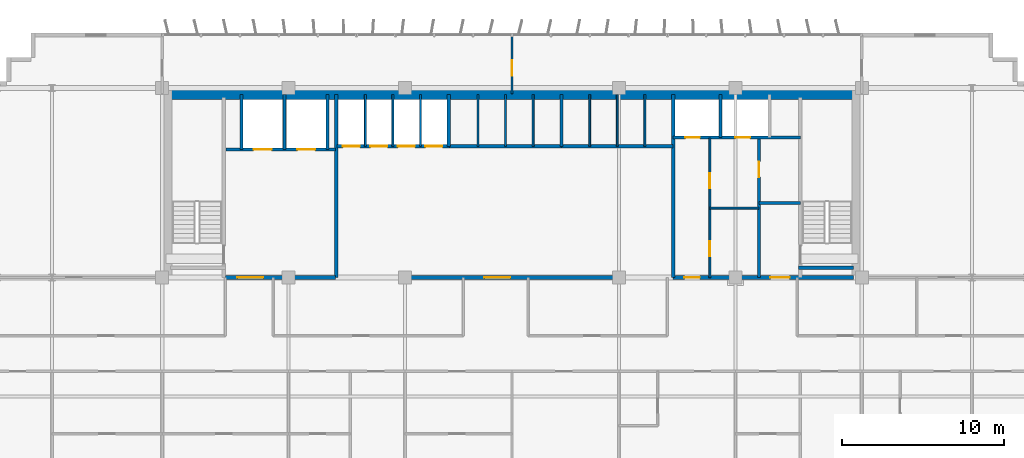
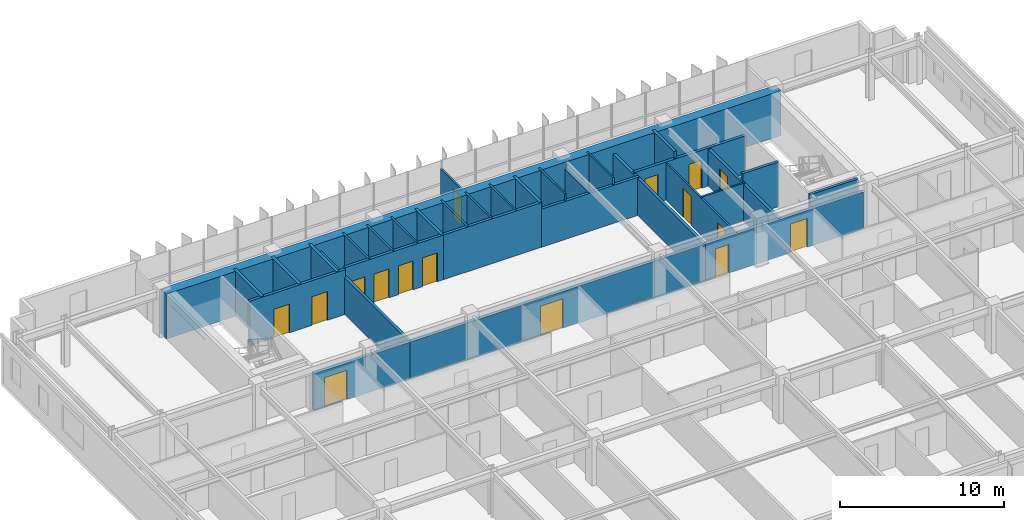
# One storey, part 17 of 21: 32 walls, 16 doors, 16 openings.
"""IFC4 building model written with IfcOpenShell, lengths in metres."""

from ifc_helpers import new_model, si_unit, direction, frame, frame_2d, origin, place, context, subcontext, project, spatial, rectangle, extrude, source, transform, mapped, material, layer, layer_set, type_object, element, fill, save


model = new_model("IFC4")

# Units and contexts
model_context = context("Model", 3, precision=1e-05, world=origin(), true_north=direction((0.0, 1.0)))
body_context = subcontext(model_context, "Body", "Model", "MODEL_VIEW")
ifc_project = project(units=[si_unit("LENGTHUNIT", "METRE"), si_unit("AREAUNIT", "SQUARE_METRE"), si_unit("VOLUMEUNIT", "CUBIC_METRE"), si_unit("PLANEANGLEUNIT", "RADIAN"), si_unit("MASSUNIT", "GRAM", prefix="KILO")], contexts=[model_context])

# Site, building, storey
site_placement = place(None, origin())
site = spatial("IfcSite", under=ifc_project, at=site_placement, CompositionType="ELEMENT")
building_placement = place(site_placement, origin())
building = spatial("IfcBuilding", under=site, at=building_placement, Name="Trelvane Seafront Commons", CompositionType="ELEMENT")
storey_placement = place(building_placement, frame((0.0, 0.0, 103.300048828125)))
storey = spatial("IfcBuildingStorey", under=building, at=storey_placement, Name="L26", CompositionType="ELEMENT", Elevation=103.300048828125)

# Wall, opening, door
ifc_material_1 = material(Name="Concrete C40/50", Category="concrete")
ifc_layer_1 = layer(ifc_material_1, 0.199951171875, Name="ARCH-WALL-FIRE200")
ifc_layer_set_1 = layer_set([ifc_layer_1], Name="Concrete C40/50")
wall_type_1 = type_object("IfcWallType", Name="ARCH-WALL-FIRE200", PredefinedType="PARTITIONING", material=ifc_layer_set_1)
wall_1_placement = place(storey_placement, frame((52.449951171875, 33.39990234375, 0.0), z_axis=(0.0, 0.0, 1.0), x_axis=(0.0, 1.0, 0.0)))
wall_1 = element("IfcWall", 1, at=wall_1_placement, inside=storey, type_object=wall_type_1, Name="W-L26-ST2V-W-033", PredefinedType="PARTITIONING", context=body_context, shape_type="SweptSolid", body=[
    extrude(rectangle(XDim=8.650146484375, YDim=0.199951171875, at=frame_2d((4.3251953125, 0.0))), origin(), (0.0, 0.0, 1.0), 2.751953125),
])
opening_1_placement = place(wall_1_placement, frame((6.199951171875, 0.0, 0.0)))
opening_1 = element("IfcOpeningElement", 2, at=opening_1_placement, cuts=wall_1, Name="Opening FD-L26-13", PredefinedType="OPENING", context=body_context, shape_type="SweptSolid", body=[
    extrude(rectangle(XDim=0.949951171875, YDim=2.14990234375, at=frame_2d((0.47509765625, 1.074951171875))), frame((0.0, 0.10986328125, 0.0), z_axis=(0.0, -1.0, 0.0), x_axis=(1.0, 0.0, 0.0)), (0.0, 0.0, 1.0), 0.219970703125),
])
ifc_material_2 = material(Name="Powder-coated aluminium frame", Category="aluminium")
door_type_1 = type_object("IfcDoorType", Name="ARCH-DR-FD60-950", OperationType="NOTDEFINED", PredefinedType="DOOR", material=ifc_material_2)
shared_shape_1 = source(origin(), body_context, "Body", "SweptSolid", [
    extrude(rectangle(XDim=0.949951171875, YDim=2.14990234375, at=frame_2d((0.47509765625, 1.074951171875))), frame((0.0, 0.02490234375, 0.0), z_axis=(0.0, -1.0, 0.0), x_axis=(1.0, 0.0, 0.0)), (0.0, 0.0, 1.0), 0.050048828125),
])
door_1_placement = place(opening_1_placement, origin())
door_1 = element("IfcDoor", 3, at=door_1_placement, inside=storey, type_object=door_type_1, Name="L26 Cleaner Store Door", OperationType="SINGLE_SWING_LEFT", OverallHeight=2.14990234375, OverallWidth=0.949951171875, PredefinedType="DOOR", context=body_context, shape_type="MappedRepresentation", body=[
    mapped(shared_shape_1, transform((0.0, 0.0, 0.0), x_axis=(1.0, 0.0, 0.0), y_axis=(0.0, 1.0, 0.0), z_axis=(0.0, 0.0, 1.0), scale=1.0)),
])
fill(opening_1, door_1)

# Wall
wall_2_placement = place(storey_placement, frame((52.449951171875, 38.0, 0.0), z_axis=(0.0, 0.0, 1.0), x_axis=(1.0, 0.0, 0.0)))
element("IfcWall", 4, at=wall_2_placement, inside=storey, type_object=wall_type_1, Name="W-L26-ST2V-N-034", PredefinedType="PARTITIONING", context=body_context, shape_type="SweptSolid", body=[
    extrude(rectangle(XDim=2.550048828125, YDim=0.199951171875, at=frame_2d((1.27490234375, 0.0))), origin(), (0.0, 0.0, 1.0), 3.33984375),
])

# Wall, opening, door
ifc_layer_2 = layer(ifc_material_1, 0.25, Name="ARCH-WALL-FIRE250")
ifc_layer_set_2 = layer_set([ifc_layer_2], Name="Concrete C40/50")
wall_type_2 = type_object("IfcWallType", Name="ARCH-WALL-FIRE250", PredefinedType="PARTITIONING", material=ifc_layer_set_2)
wall_3_placement = place(storey_placement, frame((19.5, 33.39990234375, 0.0), z_axis=(0.0, 0.0, 1.0), x_axis=(1.0, 0.0, 0.0)))
wall_3 = element("IfcWall", 5, at=wall_3_placement, inside=storey, type_object=wall_type_2, Name="W-L26-CS-FFL-013", PredefinedType="PARTITIONING", context=body_context, shape_type="SweptSolid", body=[
    extrude(rectangle(XDim=6.800048828125, YDim=0.25, at=frame_2d((3.39990234375, 0.0))), origin(), (0.0, 0.0, 1.0), 2.751953125),
])
opening_2_placement = place(wall_3_placement, frame((0.75, 0.0, 0.0)))
opening_2 = element("IfcOpeningElement", 6, at=opening_2_placement, cuts=wall_3, Name="Opening FD-L26-05", PredefinedType="OPENING", context=body_context, shape_type="SweptSolid", body=[
    extrude(rectangle(XDim=1.60009765625, YDim=2.199951171875, at=frame_2d((0.800048828125, 1.10009765625))), frame((0.0, 0.135009765625, 0.0), z_axis=(0.0, -1.0, 0.0), x_axis=(1.0, 0.0, 0.0)), (0.0, 0.0, 1.0), 0.27001953125),
])
door_type_2 = type_object("IfcDoorType", Name="ARCH-DR-FD60-1600", OperationType="DOUBLE_DOOR_SINGLE_SWING", PredefinedType="DOOR", material=ifc_material_2)
shared_shape_2 = source(origin(), body_context, "Body", "SweptSolid", [
    extrude(rectangle(XDim=1.60009765625, YDim=2.199951171875, at=frame_2d((0.800048828125, 1.10009765625))), frame((0.0, 0.02490234375, 0.0), z_axis=(0.0, -1.0, 0.0), x_axis=(1.0, 0.0, 0.0)), (0.0, 0.0, 1.0), 0.050048828125),
])
door_2_placement = place(opening_2_placement, origin())
door_2 = element("IfcDoor", 7, at=door_2_placement, inside=storey, type_object=door_type_2, Name="L26 Firefighting Lift Lobby Double Fire Door", OperationType="DOUBLE_DOOR_SINGLE_SWING", OverallHeight=2.199951171875, OverallWidth=1.60009765625, PredefinedType="DOOR", context=body_context, shape_type="MappedRepresentation", body=[
    mapped(shared_shape_2, transform((0.0, 0.0, 0.0), x_axis=(1.0, 0.0, 0.0), y_axis=(0.0, 1.0, 0.0), z_axis=(0.0, 0.0, 1.0), scale=1.0)),
])
fill(opening_2, door_2)

wall_4_placement = place(storey_placement, frame((26.300048828125, 33.39990234375, 0.0), z_axis=(0.0, 0.0, 1.0), x_axis=(1.0, 0.0, 0.0)))
wall_4 = element("IfcWall", 8, at=wall_4_placement, inside=storey, type_object=wall_type_2, Name="W-L26-CS-PAX-029", PredefinedType="PARTITIONING", context=body_context, shape_type="SweptSolid", body=[
    extrude(rectangle(XDim=20.849853515625, YDim=0.25, at=frame_2d((10.4248046875, 0.0))), origin(), (0.0, 0.0, 1.0), 2.751953125),
])
opening_3_placement = place(wall_4_placement, frame((9.199951171875, 0.0, 0.0)))
opening_3 = element("IfcOpeningElement", 9, at=opening_3_placement, cuts=wall_4, Name="Opening FD-L26-10", PredefinedType="OPENING", context=body_context, shape_type="SweptSolid", body=[
    extrude(rectangle(XDim=1.60009765625, YDim=2.199951171875, at=frame_2d((0.800048828125, 1.10009765625))), frame((0.0, 0.135009765625, 0.0), z_axis=(0.0, -1.0, 0.0), x_axis=(1.0, 0.0, 0.0)), (0.0, 0.0, 1.0), 0.27001953125),
])
door_3_placement = place(opening_3_placement, origin())
door_3 = element("IfcDoor", 10, at=door_3_placement, inside=storey, type_object=door_type_2, Name="L26 Passenger Lift Lobby Double Door", OperationType="DOUBLE_DOOR_SINGLE_SWING", OverallHeight=2.199951171875, OverallWidth=1.60009765625, PredefinedType="DOOR", context=body_context, shape_type="MappedRepresentation", body=[
    mapped(shared_shape_2, transform((0.0, 0.0, 0.0), x_axis=(1.0, 0.0, 0.0), y_axis=(0.0, 1.0, 0.0), z_axis=(0.0, 0.0, 1.0), scale=1.0)),
])
fill(opening_3, door_3)

# Wall, openings, doors
wall_5_placement = place(storey_placement, frame((47.14990234375, 33.39990234375, 0.0), z_axis=(0.0, 0.0, 1.0), x_axis=(1.0, 0.0, 0.0)))
wall_5 = element("IfcWall", 11, at=wall_5_placement, inside=storey, type_object=wall_type_2, Name="W-L26-CS-EAST-037", PredefinedType="PARTITIONING", context=body_context, shape_type="SweptSolid", body=[
    extrude(rectangle(XDim=11.150146484375, YDim=0.25, at=frame_2d((5.5751953125, 0.0))), origin(), (0.0, 0.0, 1.0), 2.751953125),
])
opening_4_placement = place(wall_5_placement, frame((0.699951171875, 0.0, 0.0)))
opening_4 = element("IfcOpeningElement", 12, at=opening_4_placement, cuts=wall_5, Name="Opening FD-L26-16", PredefinedType="OPENING", context=body_context, shape_type="SweptSolid", body=[
    extrude(rectangle(XDim=0.949951171875, YDim=2.14990234375, at=frame_2d((0.47509765625, 1.074951171875))), frame((0.0, 0.135009765625, 0.0), z_axis=(0.0, -1.0, 0.0), x_axis=(1.0, 0.0, 0.0)), (0.0, 0.0, 1.0), 0.27001953125),
])
opening_5_placement = place(wall_5_placement, frame((6.0, 0.0, 0.0)))
opening_5 = element("IfcOpeningElement", 13, at=opening_5_placement, cuts=wall_5, Name="Opening FD-L26-17", PredefinedType="OPENING", context=body_context, shape_type="SweptSolid", body=[
    extrude(rectangle(XDim=1.199951171875, YDim=2.14990234375, at=frame_2d((0.60009765625, 1.074951171875))), frame((0.0, 0.135009765625, 0.0), z_axis=(0.0, -1.0, 0.0), x_axis=(1.0, 0.0, 0.0)), (0.0, 0.0, 1.0), 0.27001953125),
])
door_4_placement = place(opening_4_placement, origin())
door_4 = element("IfcDoor", 14, at=door_4_placement, inside=storey, type_object=door_type_1, Name="L26 Core Service Lobby Door", OperationType="SINGLE_SWING_RIGHT", OverallHeight=2.14990234375, OverallWidth=0.949951171875, PredefinedType="DOOR", context=body_context, shape_type="MappedRepresentation", body=[
    mapped(shared_shape_1, transform((0.0, 0.0, 0.0), x_axis=(1.0, 0.0, 0.0), y_axis=(0.0, 1.0, 0.0), z_axis=(0.0, 0.0, 1.0), scale=1.0)),
])
fill(opening_4, door_4)
door_type_3 = type_object("IfcDoorType", Name="ARCH-DR-FD60-1200", OperationType="NOTDEFINED", PredefinedType="DOOR", material=ifc_material_2)
shared_shape_3 = source(origin(), body_context, "Body", "SweptSolid", [
    extrude(rectangle(XDim=1.199951171875, YDim=2.14990234375, at=frame_2d((0.60009765625, 1.074951171875))), frame((0.0, 0.02490234375, 0.0), z_axis=(0.0, -1.0, 0.0), x_axis=(1.0, 0.0, 0.0)), (0.0, 0.0, 1.0), 0.050048828125),
])
door_5_placement = place(opening_5_placement, origin())
door_5 = element("IfcDoor", 15, at=door_5_placement, inside=storey, type_object=door_type_3, Name="L26 East Stair Vestibule Fire Door", OperationType="SINGLE_SWING_LEFT", OverallHeight=2.14990234375, OverallWidth=1.199951171875, PredefinedType="DOOR", context=body_context, shape_type="MappedRepresentation", body=[
    mapped(shared_shape_3, transform((0.0, 0.0, 0.0), x_axis=(1.0, 0.0, 0.0), y_axis=(0.0, 1.0, 0.0), z_axis=(0.0, 0.0, 1.0), scale=1.0)),
])
fill(opening_5, door_5)

# Walls
ifc_material_3 = material(Name="Gypsum Drywall Acoustic Partition")
ifc_layer_3 = layer(ifc_material_3, 0.1201171875, Name="ARCH-WALL-PART120")
ifc_layer_set_3 = layer_set([ifc_layer_3], Name="Gypsum Drywall Acoustic Partition")
wall_type_3 = type_object("IfcWallType", Name="ARCH-WALL-PART120", PredefinedType="PARTITIONING", material=ifc_layer_set_3)
for number, where, z_axis, x_axis, name in (
    (16, (28.14990234375, 41.5, 0.0), (0.0, 0.0, 1.0), (0.0, 1.0, 0.0), "W-L26-PL-DIV1-016"),
    (17, (29.85009765625, 41.5, 0.0), (0.0, 0.0, 1.0), (0.0, 1.0, 0.0), "W-L26-PL-DIV2-017"),
    (18, (31.550048828125, 41.5, 0.0), (0.0, 0.0, 1.0), (0.0, 1.0, 0.0), "W-L26-PL-DIV3-018"),
    (19, (35.10009765625, 41.5, 0.0), (0.0, 0.0, 1.0), (0.0, 1.0, 0.0), "W-L26-PM-DIV1-020"),
    (20, (36.800048828125, 41.5, 0.0), (0.0, 0.0, 1.0), (0.0, 1.0, 0.0), "W-L26-PM-DIV2-021"),
    (21, (38.5, 41.5, 0.0), (0.0, 0.0, 1.0), (0.0, 1.0, 0.0), "W-L26-PM-DIV3-022"),
    (22, (42.0, 41.5, 0.0), (0.0, 0.0, 1.0), (0.0, 1.0, 0.0), "W-L26-PH-DIV1-025"),
):
    element("IfcWall", number, at=place(storey_placement, frame(where, z_axis=z_axis, x_axis=x_axis)), inside=storey, type_object=wall_type_3, Name=name, PredefinedType="PARTITIONING", context=body_context, shape_type="SweptSolid", body=[
        extrude(rectangle(XDim=3.199951171875, YDim=0.1201171875, at=frame_2d((1.60009765625, 0.0))), origin(), (0.0, 0.0, 1.0), 3.33984375),
    ])
wall_6_placement = place(storey_placement, frame((43.699951171875, 41.5, 0.0), z_axis=(0.0, 0.0, 1.0), x_axis=(0.0, 1.0, 0.0)))
element("IfcWall", 23, at=wall_6_placement, inside=storey, type_object=wall_type_3, Name="W-L26-PH-DIV2-026", PredefinedType="PARTITIONING", context=body_context, shape_type="SweptSolid", body=[
    extrude(rectangle(XDim=3.199951171875, YDim=0.1201171875, at=frame_2d((1.60009765625, 0.0))), origin(), (0.0, 0.0, 1.0), 2.83984375),
])
wall_7_placement = place(storey_placement, frame((45.39990234375, 41.5, 0.0), z_axis=(0.0, 0.0, 1.0), x_axis=(0.0, 1.0, 0.0)))
element("IfcWall", 24, at=wall_7_placement, inside=storey, type_object=wall_type_3, Name="W-L26-PH-DIV3-027", PredefinedType="PARTITIONING", context=body_context, shape_type="SweptSolid", body=[
    extrude(rectangle(XDim=3.199951171875, YDim=0.1201171875, at=frame_2d((1.60009765625, 0.0))), origin(), (0.0, 0.0, 1.0), 3.33984375),
])

# Wall, openings, doors
wall_8_placement = place(storey_placement, frame((49.419921875, 33.39990234375, 0.0), z_axis=(0.0, 0.0, 1.0), x_axis=(0.0, 1.0, 0.0)))
wall_8 = element("IfcWall", 25, at=wall_8_placement, inside=storey, type_object=wall_type_3, Name="W-L26-CYC0-V-035", PredefinedType="PARTITIONING", context=body_context, shape_type="SweptSolid", body=[
    extrude(rectangle(XDim=8.60009765625, YDim=0.1201171875, at=frame_2d((4.300048828125, 0.0))), origin(), (0.0, 0.0, 1.0), 2.751953125),
])
opening_6_placement = place(wall_8_placement, frame((1.300048828125, 0.0, 0.0)))
opening_6 = element("IfcOpeningElement", 26, at=opening_6_placement, cuts=wall_8, Name="Opening D-L26-14", PredefinedType="OPENING", context=body_context, shape_type="SweptSolid", body=[
    extrude(rectangle(XDim=0.949951171875, YDim=2.14990234375, at=frame_2d((0.47509765625, 1.074951171875))), frame((0.0, 0.070068359375, 0.0), z_axis=(0.0, -1.0, 0.0), x_axis=(1.0, 0.0, 0.0)), (0.0, 0.0, 1.0), 0.14013671875),
])
opening_7_placement = place(wall_8_placement, frame((5.5, 0.0, 0.0)))
opening_7 = element("IfcOpeningElement", 27, at=opening_7_placement, cuts=wall_8, Name="Opening D-L26-15", PredefinedType="OPENING", context=body_context, shape_type="SweptSolid", body=[
    extrude(rectangle(XDim=0.949951171875, YDim=2.14990234375, at=frame_2d((0.47509765625, 1.074951171875))), frame((0.0, 0.070068359375, 0.0), z_axis=(0.0, -1.0, 0.0), x_axis=(1.0, 0.0, 0.0)), (0.0, 0.0, 1.0), 0.14013671875),
])
ifc_material_4 = material(Name="Acoustic timber door leaf", Category="wood")
door_type_4 = type_object("IfcDoorType", Name="ARCH-DR-INT950", OperationType="NOTDEFINED", PredefinedType="DOOR", material=ifc_material_4)
door_6_placement = place(opening_6_placement, origin())
door_6 = element("IfcDoor", 28, at=door_6_placement, inside=storey, type_object=door_type_4, Name="L26 Accessible WC Door", OperationType="SINGLE_SWING_RIGHT", OverallHeight=2.14990234375, OverallWidth=0.949951171875, PredefinedType="DOOR", context=body_context, shape_type="MappedRepresentation", body=[
    mapped(shared_shape_1, transform((0.0, 0.0, 0.0), x_axis=(1.0, 0.0, 0.0), y_axis=(0.0, 1.0, 0.0), z_axis=(0.0, 0.0, 1.0), scale=1.0)),
])
fill(opening_6, door_6)
door_7_placement = place(opening_7_placement, origin())
door_7 = element("IfcDoor", 29, at=door_7_placement, inside=storey, type_object=door_type_4, Name="L26 Common WC Door", OperationType="SINGLE_SWING_LEFT", OverallHeight=2.14990234375, OverallWidth=0.949951171875, PredefinedType="DOOR", context=body_context, shape_type="MappedRepresentation", body=[
    mapped(shared_shape_1, transform((0.0, 0.0, 0.0), x_axis=(1.0, 0.0, 0.0), y_axis=(0.0, 1.0, 0.0), z_axis=(0.0, 0.0, 1.0), scale=1.0)),
])
fill(opening_7, door_7)

# Wall
wall_9_placement = place(storey_placement, frame((49.419921875, 37.679931640625, 0.0), z_axis=(0.0, 0.0, 1.0), x_axis=(1.0, 0.0, 0.0)))
element("IfcWall", 30, at=wall_9_placement, inside=storey, type_object=wall_type_3, Name="W-L26-CYC0-H-036", PredefinedType="PARTITIONING", context=body_context, shape_type="SweptSolid", body=[
    extrude(rectangle(XDim=3.030029296875, YDim=0.1201171875, at=frame_2d((1.51513671875, 0.0))), origin(), (0.0, 0.0, 1.0), 2.83984375),
])

# Wall, opening, door
wall_10_placement = place(storey_placement, frame((37.199951171875, 44.75, 0.0), z_axis=(0.0, 0.0, 1.0), x_axis=(0.0, 1.0, 0.0)))
wall_10 = element("IfcWall", 31, at=wall_10_placement, inside=storey, type_object=wall_type_3, Name="W-L26-N-MID-DV-051", PredefinedType="PARTITIONING", context=body_context, shape_type="SweptSolid", body=[
    extrude(rectangle(XDim=3.610107421875, YDim=0.1201171875, at=frame_2d((1.80517578125, 0.0))), origin(), (0.0, 0.0, 1.0), 2.751953125),
])
opening_8_placement = place(wall_10_placement, frame((1.10009765625, 0.0, 0.0)))
opening_8 = element("IfcOpeningElement", 32, at=opening_8_placement, cuts=wall_10, Name="Opening D-L26-25", PredefinedType="OPENING", context=body_context, shape_type="SweptSolid", body=[
    extrude(rectangle(XDim=0.949951171875, YDim=2.14990234375, at=frame_2d((0.47509765625, 1.074951171875))), frame((0.0, 0.070068359375, 0.0), z_axis=(0.0, -1.0, 0.0), x_axis=(1.0, 0.0, 0.0)), (0.0, 0.0, 1.0), 0.14013671875),
])
door_8_placement = place(opening_8_placement, origin())
door_8 = element("IfcDoor", 33, at=door_8_placement, inside=storey, type_object=door_type_4, Name="L26 Door 25", OperationType="SINGLE_SWING_LEFT", OverallHeight=2.14990234375, OverallWidth=0.949951171875, PredefinedType="DOOR", context=body_context, shape_type="MappedRepresentation", body=[
    mapped(shared_shape_1, transform((0.0, 0.0, 0.0), x_axis=(1.0, 0.0, 0.0), y_axis=(0.0, 1.0, 0.0), z_axis=(0.0, 0.0, 1.0), scale=1.0)),
])
fill(opening_8, door_8)

# Wall, openings, doors
ifc_layer_4 = layer(ifc_material_1, 0.199951171875, Name="ARCH-WALL-SHAFT200")
ifc_layer_set_4 = layer_set([ifc_layer_4], Name="Concrete C40/50")
wall_type_4 = type_object("IfcWallType", Name="ARCH-WALL-SHAFT200", PredefinedType="SOLIDWALL", material=ifc_layer_set_4)
wall_11_placement = place(storey_placement, frame((19.550048828125, 41.300048828125, 0.0), z_axis=(0.0, 0.0, 1.0), x_axis=(1.0, 0.0, 0.0)))
wall_11 = element("IfcWall", 34, at=wall_11_placement, inside=storey, type_object=wall_type_4, Name="W-L26-FFL-FRONT-008", PredefinedType="SOLIDWALL", context=body_context, shape_type="SweptSolid", body=[
    extrude(rectangle(XDim=6.75, YDim=0.199951171875, at=frame_2d((3.375, 0.0))), origin(), (0.0, 0.0, 1.0), 3.33984375),
])
opening_9_placement = place(wall_11_placement, frame((1.699951171875, 0.0, 0.0)))
opening_9 = element("IfcOpeningElement", 35, at=opening_9_placement, cuts=wall_11, Name="Opening LD-FF1-L26", PredefinedType="OPENING", context=body_context, shape_type="SweptSolid", body=[
    extrude(rectangle(XDim=1.10009765625, YDim=2.14990234375, at=frame_2d((0.550048828125, 1.074951171875))), frame((0.0, 0.10986328125, 0.0), z_axis=(0.0, -1.0, 0.0), x_axis=(1.0, 0.0, 0.0)), (0.0, 0.0, 1.0), 0.219970703125),
])
opening_10_placement = place(wall_11_placement, frame((4.39990234375, 0.0, 0.0)))
opening_10 = element("IfcOpeningElement", 36, at=opening_10_placement, cuts=wall_11, Name="Opening LD-FF2-L26", PredefinedType="OPENING", context=body_context, shape_type="SweptSolid", body=[
    extrude(rectangle(XDim=1.10009765625, YDim=2.14990234375, at=frame_2d((0.550048828125, 1.074951171875))), frame((0.0, 0.10986328125, 0.0), z_axis=(0.0, -1.0, 0.0), x_axis=(1.0, 0.0, 0.0)), (0.0, 0.0, 1.0), 0.219970703125),
])
ifc_material_5 = material(Name="Stainless steel balustrade", Category="steel")
door_type_5 = type_object("IfcDoorType", Name="ARCH-DR-LD1100", OperationType="DOUBLE_DOOR_SLIDING", PredefinedType="DOOR", material=ifc_material_5)
shared_shape_4 = source(origin(), body_context, "Body", "SweptSolid", [
    extrude(rectangle(XDim=1.10009765625, YDim=2.14990234375, at=frame_2d((0.550048828125, 1.074951171875))), frame((0.0, 0.02490234375, 0.0), z_axis=(0.0, -1.0, 0.0), x_axis=(1.0, 0.0, 0.0)), (0.0, 0.0, 1.0), 0.050048828125),
])
door_9_placement = place(opening_9_placement, origin())
door_9 = element("IfcDoor", 37, at=door_9_placement, inside=storey, type_object=door_type_5, Name="L26 Firefighting Lift FFL-1 Landing Door", OperationType="DOUBLE_DOOR_SLIDING", OverallHeight=2.14990234375, OverallWidth=1.10009765625, PredefinedType="DOOR", context=body_context, shape_type="MappedRepresentation", body=[
    mapped(shared_shape_4, transform((0.0, 0.0, 0.0), x_axis=(1.0, 0.0, 0.0), y_axis=(0.0, 1.0, 0.0), z_axis=(0.0, 0.0, 1.0), scale=1.0)),
])
fill(opening_9, door_9)
door_10_placement = place(opening_10_placement, origin())
door_10 = element("IfcDoor", 38, at=door_10_placement, inside=storey, type_object=door_type_5, Name="L26 Firefighting Lift FFL-2 Landing Door", OperationType="DOUBLE_DOOR_SLIDING", OverallHeight=2.14990234375, OverallWidth=1.10009765625, PredefinedType="DOOR", context=body_context, shape_type="MappedRepresentation", body=[
    mapped(shared_shape_4, transform((0.0, 0.0, 0.0), x_axis=(1.0, 0.0, 0.0), y_axis=(0.0, 1.0, 0.0), z_axis=(0.0, 0.0, 1.0), scale=1.0)),
])
fill(opening_10, door_10)

# Walls
for number, where, z_axis, x_axis, name in (
    (39, (20.5, 41.300048828125, 0.0), (0.0, 0.0, 1.0), (0.0, 1.0, 0.0), "W-L26-FFL-SH-W-009"),
    (40, (23.14990234375, 41.300048828125, 0.0), (0.0, 0.0, 1.0), (0.0, 1.0, 0.0), "W-L26-FFL-DIV-010"),
    (41, (25.800048828125, 41.300048828125, 0.0), (0.0, 0.0, 1.0), (0.0, 1.0, 0.0), "W-L26-FFL-SH-E-011"),
):
    element("IfcWall", number, at=place(storey_placement, frame(where, z_axis=z_axis, x_axis=x_axis)), inside=storey, type_object=wall_type_4, Name=name, PredefinedType="SOLIDWALL", context=body_context, shape_type="SweptSolid", body=[
        extrude(rectangle(XDim=3.39990234375, YDim=0.199951171875, at=frame_2d((1.699951171875, 0.0))), origin(), (0.0, 0.0, 1.0), 3.33984375),
    ])
wall_12_placement = place(storey_placement, frame((26.35009765625, 33.39990234375, 0.0), z_axis=(0.0, 0.0, 1.0), x_axis=(0.0, 1.0, 0.0)))
element("IfcWall", 42, at=wall_12_placement, inside=storey, type_object=wall_type_4, Name="W-L26-FFL-EAST-012", PredefinedType="SOLIDWALL", context=body_context, shape_type="SweptSolid", body=[
    extrude(rectangle(XDim=11.300048828125, YDim=0.199951171875, at=frame_2d((5.64990234375, 0.0))), origin(), (0.0, 0.0, 1.0), 2.751953125),
])

# Wall, openings, doors
wall_13_placement = place(storey_placement, frame((26.39990234375, 41.5, 0.0), z_axis=(0.0, 0.0, 1.0), x_axis=(1.0, 0.0, 0.0)))
wall_13 = element("IfcWall", 43, at=wall_13_placement, inside=storey, type_object=wall_type_4, Name="W-L26-PL-FRONT-014", PredefinedType="SOLIDWALL", context=body_context, shape_type="SweptSolid", body=[
    extrude(rectangle(XDim=6.9501953125, YDim=0.199951171875, at=frame_2d((3.47509765625, 0.0))), origin(), (0.0, 0.0, 1.0), 3.33984375),
])
opening_11_placement = place(wall_13_placement, frame((0.35009765625, 0.0, 0.0)))
opening_11 = element("IfcOpeningElement", 44, at=opening_11_placement, cuts=wall_13, Name="Opening LD-PL1-L26", PredefinedType="OPENING", context=body_context, shape_type="SweptSolid", body=[
    extrude(rectangle(XDim=1.050048828125, YDim=2.14990234375, at=frame_2d((0.52490234375, 1.074951171875))), frame((0.0, 0.10986328125, 0.0), z_axis=(0.0, -1.0, 0.0), x_axis=(1.0, 0.0, 0.0)), (0.0, 0.0, 1.0), 0.219970703125),
])
opening_12_placement = place(wall_13_placement, frame((2.050048828125, 0.0, 0.0)))
opening_12 = element("IfcOpeningElement", 45, at=opening_12_placement, cuts=wall_13, Name="Opening LD-PL2-L26", PredefinedType="OPENING", context=body_context, shape_type="SweptSolid", body=[
    extrude(rectangle(XDim=1.050048828125, YDim=2.14990234375, at=frame_2d((0.52490234375, 1.074951171875))), frame((0.0, 0.10986328125, 0.0), z_axis=(0.0, -1.0, 0.0), x_axis=(1.0, 0.0, 0.0)), (0.0, 0.0, 1.0), 0.219970703125),
])
opening_13_placement = place(wall_13_placement, frame((3.75, 0.0, 0.0)))
opening_13 = element("IfcOpeningElement", 46, at=opening_13_placement, cuts=wall_13, Name="Opening LD-PL3-L26", PredefinedType="OPENING", context=body_context, shape_type="SweptSolid", body=[
    extrude(rectangle(XDim=1.050048828125, YDim=2.14990234375, at=frame_2d((0.52490234375, 1.074951171875))), frame((0.0, 0.10986328125, 0.0), z_axis=(0.0, -1.0, 0.0), x_axis=(1.0, 0.0, 0.0)), (0.0, 0.0, 1.0), 0.219970703125),
])
opening_14_placement = place(wall_13_placement, frame((5.449951171875, 0.0, 0.0)))
opening_14 = element("IfcOpeningElement", 47, at=opening_14_placement, cuts=wall_13, Name="Opening LD-PL4-L26", PredefinedType="OPENING", context=body_context, shape_type="SweptSolid", body=[
    extrude(rectangle(XDim=1.050048828125, YDim=2.14990234375, at=frame_2d((0.52490234375, 1.074951171875))), frame((0.0, 0.10986328125, 0.0), z_axis=(0.0, -1.0, 0.0), x_axis=(1.0, 0.0, 0.0)), (0.0, 0.0, 1.0), 0.219970703125),
])
door_type_6 = type_object("IfcDoorType", Name="ARCH-DR-LD1050", OperationType="DOUBLE_DOOR_SLIDING", PredefinedType="DOOR", material=ifc_material_5)
shared_shape_5 = source(origin(), body_context, "Body", "SweptSolid", [
    extrude(rectangle(XDim=1.050048828125, YDim=2.14990234375, at=frame_2d((0.52490234375, 1.074951171875))), frame((0.0, 0.02490234375, 0.0), z_axis=(0.0, -1.0, 0.0), x_axis=(1.0, 0.0, 0.0)), (0.0, 0.0, 1.0), 0.050048828125),
])
door_11_placement = place(opening_11_placement, origin())
door_11 = element("IfcDoor", 48, at=door_11_placement, inside=storey, type_object=door_type_6, Name="L26 Passenger Lift PL-1 Landing Door", OperationType="DOUBLE_DOOR_SLIDING", OverallHeight=2.14990234375, OverallWidth=1.050048828125, PredefinedType="DOOR", context=body_context, shape_type="MappedRepresentation", body=[
    mapped(shared_shape_5, transform((0.0, 0.0, 0.0), x_axis=(1.0, 0.0, 0.0), y_axis=(0.0, 1.0, 0.0), z_axis=(0.0, 0.0, 1.0), scale=1.0)),
])
fill(opening_11, door_11)
door_12_placement = place(opening_12_placement, origin())
door_12 = element("IfcDoor", 49, at=door_12_placement, inside=storey, type_object=door_type_6, Name="L26 Passenger Lift PL-2 Landing Door", OperationType="DOUBLE_DOOR_SLIDING", OverallHeight=2.14990234375, OverallWidth=1.050048828125, PredefinedType="DOOR", context=body_context, shape_type="MappedRepresentation", body=[
    mapped(shared_shape_5, transform((0.0, 0.0, 0.0), x_axis=(1.0, 0.0, 0.0), y_axis=(0.0, 1.0, 0.0), z_axis=(0.0, 0.0, 1.0), scale=1.0)),
])
fill(opening_12, door_12)
door_13_placement = place(opening_13_placement, origin())
door_13 = element("IfcDoor", 50, at=door_13_placement, inside=storey, type_object=door_type_6, Name="L26 Passenger Lift PL-3 Landing Door", OperationType="DOUBLE_DOOR_SLIDING", OverallHeight=2.14990234375, OverallWidth=1.050048828125, PredefinedType="DOOR", context=body_context, shape_type="MappedRepresentation", body=[
    mapped(shared_shape_5, transform((0.0, 0.0, 0.0), x_axis=(1.0, 0.0, 0.0), y_axis=(0.0, 1.0, 0.0), z_axis=(0.0, 0.0, 1.0), scale=1.0)),
])
fill(opening_13, door_13)
door_14_placement = place(opening_14_placement, origin())
door_14 = element("IfcDoor", 51, at=door_14_placement, inside=storey, type_object=door_type_6, Name="L26 Passenger Lift PL-4 Landing Door", OperationType="DOUBLE_DOOR_SLIDING", OverallHeight=2.14990234375, OverallWidth=1.050048828125, PredefinedType="DOOR", context=body_context, shape_type="MappedRepresentation", body=[
    mapped(shared_shape_5, transform((0.0, 0.0, 0.0), x_axis=(1.0, 0.0, 0.0), y_axis=(0.0, 1.0, 0.0), z_axis=(0.0, 0.0, 1.0), scale=1.0)),
])
fill(opening_14, door_14)

# Walls
wall_14_placement = place(storey_placement, frame((33.300048828125, 41.5, 0.0), z_axis=(0.0, 0.0, 1.0), x_axis=(0.0, 1.0, 0.0)))
element("IfcWall", 52, at=wall_14_placement, inside=storey, type_object=wall_type_4, Name="W-L26-PL-EAST-SH-015", PredefinedType="SOLIDWALL", context=body_context, shape_type="SweptSolid", body=[
    extrude(rectangle(XDim=3.199951171875, YDim=0.199951171875, at=frame_2d((1.60009765625, 0.0))), origin(), (0.0, 0.0, 1.0), 3.33984375),
])
wall_15_placement = place(storey_placement, frame((33.35009765625, 41.5, 0.0), z_axis=(0.0, 0.0, 1.0), x_axis=(1.0, 0.0, 0.0)))
element("IfcWall", 53, at=wall_15_placement, inside=storey, type_object=wall_type_4, Name="W-L26-PM-FRONT-019", PredefinedType="SOLIDWALL", context=body_context, shape_type="SweptSolid", body=[
    extrude(rectangle(XDim=6.89990234375, YDim=0.199951171875, at=frame_2d((3.449951171875, 0.0))), origin(), (0.0, 0.0, 1.0), 3.33984375),
])
wall_16_placement = place(storey_placement, frame((40.25, 41.5, 0.0), z_axis=(0.0, 0.0, 1.0), x_axis=(1.0, 0.0, 0.0)))
element("IfcWall", 54, at=wall_16_placement, inside=storey, type_object=wall_type_4, Name="W-L26-PH-FRONT-023", PredefinedType="SOLIDWALL", context=body_context, shape_type="SweptSolid", body=[
    extrude(rectangle(XDim=6.89990234375, YDim=0.199951171875, at=frame_2d((3.449951171875, 0.0))), origin(), (0.0, 0.0, 1.0), 2.83984375),
])
wall_17_placement = place(storey_placement, frame((40.25, 41.5, 0.0), z_axis=(0.0, 0.0, 1.0), x_axis=(0.0, 1.0, 0.0)))
element("IfcWall", 55, at=wall_17_placement, inside=storey, type_object=wall_type_4, Name="W-L26-PH-WEST-SH-024", PredefinedType="SOLIDWALL", context=body_context, shape_type="SweptSolid", body=[
    extrude(rectangle(XDim=3.199951171875, YDim=0.199951171875, at=frame_2d((1.60009765625, 0.0))), origin(), (0.0, 0.0, 1.0), 3.33984375),
])
wall_18_placement = place(storey_placement, frame((47.14990234375, 33.39990234375, 0.0), z_axis=(0.0, 0.0, 1.0), x_axis=(0.0, 1.0, 0.0)))
element("IfcWall", 56, at=wall_18_placement, inside=storey, type_object=wall_type_4, Name="W-L26-PH-EAST-028", PredefinedType="SOLIDWALL", context=body_context, shape_type="SweptSolid", body=[
    extrude(rectangle(XDim=11.300048828125, YDim=0.199951171875, at=frame_2d((5.64990234375, 0.0))), origin(), (0.0, 0.0, 1.0), 2.751953125),
])

# Wall, openings, doors
wall_19_placement = place(storey_placement, frame((47.14990234375, 42.050048828125, 0.0), z_axis=(0.0, 0.0, 1.0), x_axis=(1.0, 0.0, 0.0)))
wall_19 = element("IfcWall", 57, at=wall_19_placement, inside=storey, type_object=wall_type_4, Name="W-L26-RSR-S-030", PredefinedType="SOLIDWALL", context=body_context, shape_type="SweptSolid", body=[
    extrude(rectangle(XDim=7.85009765625, YDim=0.199951171875, at=frame_2d((3.925048828125, 0.0))), origin(), (0.0, 0.0, 1.0), 2.83984375),
])
opening_15_placement = place(wall_19_placement, frame((0.75, 0.0, 0.0)))
opening_15 = element("IfcOpeningElement", 58, at=opening_15_placement, cuts=wall_19, Name="Opening FD-L26-11", PredefinedType="OPENING", context=body_context, shape_type="SweptSolid", body=[
    extrude(rectangle(XDim=0.89990234375, YDim=2.10009765625, at=frame_2d((0.449951171875, 1.050048828125))), frame((0.0, 0.10986328125, 0.0), z_axis=(0.0, -1.0, 0.0), x_axis=(1.0, 0.0, 0.0)), (0.0, 0.0, 1.0), 0.219970703125),
])
opening_16_placement = place(wall_19_placement, frame((3.85009765625, 0.0, 0.0)))
opening_16 = element("IfcOpeningElement", 59, at=opening_16_placement, cuts=wall_19, Name="Opening FD-L26-12", PredefinedType="OPENING", context=body_context, shape_type="SweptSolid", body=[
    extrude(rectangle(XDim=0.89990234375, YDim=2.10009765625, at=frame_2d((0.449951171875, 1.050048828125))), frame((0.0, 0.10986328125, 0.0), z_axis=(0.0, -1.0, 0.0), x_axis=(1.0, 0.0, 0.0)), (0.0, 0.0, 1.0), 0.219970703125),
])
door_type_7 = type_object("IfcDoorType", Name="ARCH-DR-FD60-900", OperationType="NOTDEFINED", PredefinedType="DOOR", material=ifc_material_2)
shared_shape_6 = source(origin(), body_context, "Body", "SweptSolid", [
    extrude(rectangle(XDim=0.89990234375, YDim=2.10009765625, at=frame_2d((0.449951171875, 1.050048828125))), frame((0.0, 0.02490234375, 0.0), z_axis=(0.0, -1.0, 0.0), x_axis=(1.0, 0.0, 0.0)), (0.0, 0.0, 1.0), 0.050048828125),
])
door_15_placement = place(opening_15_placement, origin())
door_15 = element("IfcDoor", 60, at=door_15_placement, inside=storey, type_object=door_type_7, Name="L26 Electrical Riser Access Door", OperationType="SINGLE_SWING_LEFT", OverallHeight=2.10009765625, OverallWidth=0.89990234375, PredefinedType="DOOR", context=body_context, shape_type="MappedRepresentation", body=[
    mapped(shared_shape_6, transform((0.0, 0.0, 0.0), x_axis=(1.0, 0.0, 0.0), y_axis=(0.0, 1.0, 0.0), z_axis=(0.0, 0.0, 1.0), scale=1.0)),
])
fill(opening_15, door_15)
door_16_placement = place(opening_16_placement, origin())
door_16 = element("IfcDoor", 61, at=door_16_placement, inside=storey, type_object=door_type_7, Name="L26 Mechanical Riser Access Door", OperationType="SINGLE_SWING_RIGHT", OverallHeight=2.10009765625, OverallWidth=0.89990234375, PredefinedType="DOOR", context=body_context, shape_type="MappedRepresentation", body=[
    mapped(shared_shape_6, transform((0.0, 0.0, 0.0), x_axis=(1.0, 0.0, 0.0), y_axis=(0.0, 1.0, 0.0), z_axis=(0.0, 0.0, 1.0), scale=1.0)),
])
fill(opening_16, door_16)

# Walls
wall_20_placement = place(storey_placement, frame((50.080078125, 42.050048828125, 0.0), z_axis=(0.0, 0.0, 1.0), x_axis=(0.0, 1.0, 0.0)))
element("IfcWall", 62, at=wall_20_placement, inside=storey, type_object=wall_type_4, Name="W-L26-RSR-DIV-031", PredefinedType="SOLIDWALL", context=body_context, shape_type="SweptSolid", body=[
    extrude(rectangle(XDim=2.64990234375, YDim=0.199951171875, at=frame_2d((1.324951171875, 0.0))), origin(), (0.0, 0.0, 1.0), 3.33984375),
])
ifc_material_6 = material(Name="Concrete C60/75", Category="concrete")
ifc_layer_5 = layer(ifc_material_6, 0.699951171875, Name="STR-WALL-CORE700")
ifc_layer_set_5 = layer_set([ifc_layer_5], Name="Concrete C60/75")
wall_type_5 = type_object("IfcWallType", Name="STR-WALL-CORE700", PredefinedType="SHEAR", material=ifc_layer_set_5)
wall_21_placement = place(storey_placement, frame((15.5, 44.75, 0.0), z_axis=(0.0, 0.0, 1.0), x_axis=(1.0, 0.0, 0.0)))
element("IfcWall", 63, at=wall_21_placement, inside=storey, type_object=wall_type_5, Name="W-L26-CN-ALL-001", PredefinedType="SHEAR", context=body_context, shape_type="SweptSolid", body=[
    extrude(rectangle(XDim=43.39990234375, YDim=0.699951171875, at=frame_2d((21.699951171875, 0.0))), origin(), (0.0, 0.0, 1.0), 3.33984375),
])
ifc_material_7 = material(Name="Concrete C50/60", Category="concrete")
ifc_layer_6 = layer(ifc_material_7, 0.199951171875, Name="STR-WALL-STAIR200")
ifc_layer_set_6 = layer_set([ifc_layer_6], Name="Concrete C50/60")
wall_type_6 = type_object("IfcWallType", Name="STR-WALL-STAIR200", PredefinedType="SHEAR", material=ifc_layer_set_6)
wall_22_placement = place(storey_placement, frame((54.89990234375, 34.0, 0.0), z_axis=(0.0, 0.0, 1.0), x_axis=(1.0, 0.0, 0.0)))
element("IfcWall", 64, at=wall_22_placement, inside=storey, type_object=wall_type_6, Name="W-L26-ST2-S-006", PredefinedType="SHEAR", context=body_context, shape_type="SweptSolid", body=[
    extrude(rectangle(XDim=3.400146484375, YDim=0.199951171875, at=frame_2d((1.7001953125, 0.0))), origin(), (0.0, 0.0, 1.0), 3.33984375),
])

save(model, "model.ifc")
